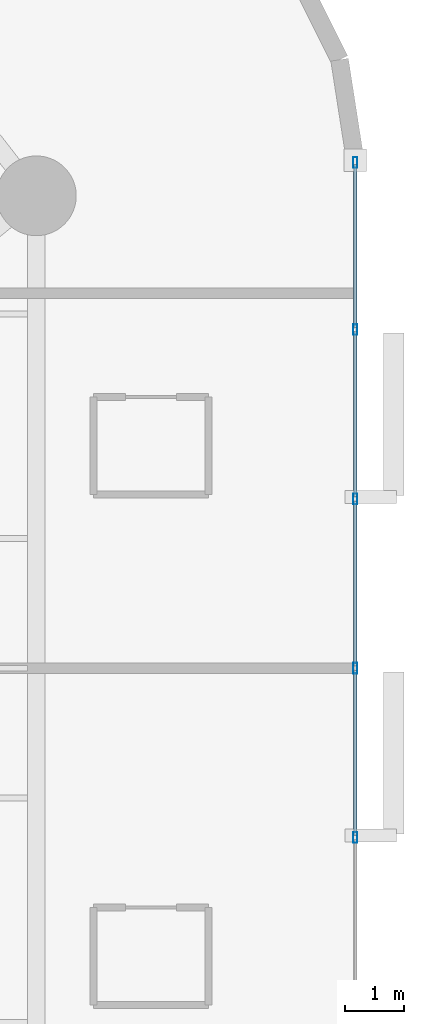
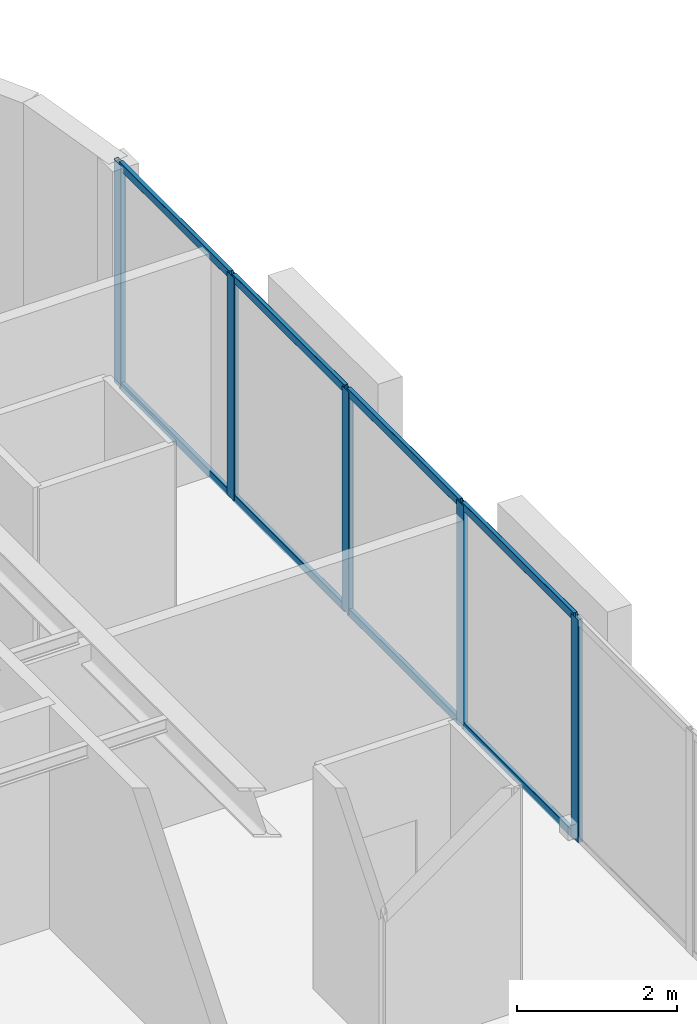
# One storey, part 6 of 16: 13 members, 1 element without a shape of its own.
"""IFC4 building model written with IfcOpenShell, lengths in metres."""

from ifc_helpers import new_model, si_unit, direction, frame, origin, origin_2d, place, context, subcontext, project, spatial, hollow_rectangle, extrude, material, layer, layer_set, material_profile, profile_set, type_object, element, aggregate, save


model = new_model("IFC4")

# Units and contexts
model_context = context("Model", 3, precision=1e-05, world=origin(), true_north=direction((0.0, 1.0)))
body_context = subcontext(model_context, "Body", "Model", "MODEL_VIEW")
ifc_project = project(units=[si_unit("LENGTHUNIT", "METRE"), si_unit("AREAUNIT", "SQUARE_METRE"), si_unit("VOLUMEUNIT", "CUBIC_METRE"), si_unit("PLANEANGLEUNIT", "RADIAN"), si_unit("MASSUNIT", "GRAM", prefix="KILO")], contexts=[model_context])

# Site, building, storey
site_placement = place(None, origin())
site = spatial("IfcSite", under=ifc_project, at=site_placement, CompositionType="ELEMENT")
building_placement = place(site_placement, origin())
building = spatial("IfcBuilding", under=site, at=building_placement, Name="An Khanh Terracotta Commons", CompositionType="ELEMENT")
storey_placement = place(building_placement, frame((0.0, 0.0, 100.699951171875)))
storey = spatial("IfcBuildingStorey", under=building, at=storey_placement, Name="L26", CompositionType="ELEMENT", Elevation=100.699951171875)

# Curtain wall, members
ifc_material = material(Name="Anodised Aluminium 6063-T6", Category="aluminium")
ifc_layer = layer(ifc_material, 0.199951171875, Name="Anodised Aluminium 6063-T6")
ifc_layer_set = layer_set([ifc_layer], Name="Anodised Aluminium 6063-T6")
curtain_wall_type = type_object("IfcCurtainWallType", Name="CW-SYS-02", PredefinedType="USERDEFINED", material=ifc_layer_set)
curtain_wall_placement = place(storey_placement, origin())
curtain_wall = element("IfcCurtainWall", 1, at=curtain_wall_placement, inside=storey, type_object=curtain_wall_type, Name="L26 CW-02 Unitised Curtain Wall CW-L26-12", ObjectType="UNITISED CURTAIN WALL", PredefinedType="USERDEFINED")
ifc_material_profile_1 = material_profile(ifc_material, hollow_rectangle(XDim=0.070068359375, YDim=0.179931640625, WallThickness=0.00390625, InnerFilletRadius=0.00390625, OuterFilletRadius=0.008056640625, at=origin_2d()), Name="RHS180x70x4")
ifc_profile_set_1 = profile_set([ifc_material_profile_1], Name="Anodised Aluminium 6063-T6")
member_type_1 = type_object("IfcMemberType", Name="CWM-RHS180x70x4", PredefinedType="MULLION", material=ifc_profile_set_1)
member_1_placement = place(storey_placement, frame((57.39990234375, 21.13330078125, 0.0), z_axis=(0.0, 0.0, 1.0), x_axis=(-1.0, 0.0, 0.0)))
member_1 = element("IfcMember", 2, at=member_1_placement, type_object=member_type_1, Name="CW-02 mullion 3", PredefinedType="MULLION", context=body_context, shape_type="SweptSolid", body=[
    extrude(hollow_rectangle(XDim=0.070068359375, YDim=0.179931640625, WallThickness=0.00390625, InnerFilletRadius=0.00390625, OuterFilletRadius=0.008056640625, at=origin_2d()), origin(), (0.0, 0.0, 1.0), 3.400146484375),
])
member_2_placement = place(storey_placement, frame((57.39990234375, 24.0, 0.0), z_axis=(0.0, 0.0, 1.0), x_axis=(-1.0, 0.0, 0.0)))
member_2 = element("IfcMember", 3, at=member_2_placement, type_object=member_type_1, Name="CW-02 mullion 4", PredefinedType="MULLION", context=body_context, shape_type="SweptSolid", body=[
    extrude(hollow_rectangle(XDim=0.070068359375, YDim=0.179931640625, WallThickness=0.00390625, InnerFilletRadius=0.00390625, OuterFilletRadius=0.008056640625, at=origin_2d()), origin(), (0.0, 0.0, 1.0), 3.400146484375),
])
member_3_placement = place(storey_placement, frame((57.39990234375, 26.86669921875, 0.0), z_axis=(0.0, 0.0, 1.0), x_axis=(-1.0, 0.0, 0.0)))
member_3 = element("IfcMember", 4, at=member_3_placement, type_object=member_type_1, Name="CW-02 mullion 5", PredefinedType="MULLION", context=body_context, shape_type="SweptSolid", body=[
    extrude(hollow_rectangle(XDim=0.070068359375, YDim=0.179931640625, WallThickness=0.00390625, InnerFilletRadius=0.00390625, OuterFilletRadius=0.008056640625, at=origin_2d()), origin(), (0.0, 0.0, 1.0), 3.400146484375),
])
member_4_placement = place(storey_placement, frame((57.39990234375, 29.7333984375, 0.0), z_axis=(0.0, 0.0, 1.0), x_axis=(-1.0, 0.0, 0.0)))
member_4 = element("IfcMember", 5, at=member_4_placement, type_object=member_type_1, Name="CW-02 mullion 6", PredefinedType="MULLION", context=body_context, shape_type="SweptSolid", body=[
    extrude(hollow_rectangle(XDim=0.070068359375, YDim=0.179931640625, WallThickness=0.00390625, InnerFilletRadius=0.00390625, OuterFilletRadius=0.008056640625, at=origin_2d()), origin(), (0.0, 0.0, 1.0), 3.400146484375),
])
member_5_placement = place(storey_placement, frame((57.39990234375, 32.56494140625, 0.0), z_axis=(0.0, 0.0, 1.0), x_axis=(-1.0, 0.0, 0.0)))
member_5 = element("IfcMember", 6, at=member_5_placement, type_object=member_type_1, Name="CW-02 mullion 7", PredefinedType="MULLION", context=body_context, shape_type="SweptSolid", body=[
    extrude(hollow_rectangle(XDim=0.070068359375, YDim=0.179931640625, WallThickness=0.00390625, InnerFilletRadius=0.00390625, OuterFilletRadius=0.008056640625, at=origin_2d()), origin(), (0.0, 0.0, 1.0), 3.400146484375),
])
ifc_material_profile_2 = material_profile(ifc_material, hollow_rectangle(XDim=0.06005859375, YDim=0.1201171875, WallThickness=0.003662109375, InnerFilletRadius=0.003662109375, OuterFilletRadius=0.007080078125, at=origin_2d()), Name="RHS120x60x3.6")
ifc_profile_set_2 = profile_set([ifc_material_profile_2], Name="Anodised Aluminium 6063-T6")
member_type_2 = type_object("IfcMemberType", Name="CWT-RHS120x60x3.6", PredefinedType="USERDEFINED", material=ifc_profile_set_2)
member_6_placement = place(storey_placement, frame((57.39990234375, 21.168212890625, 0.030029296875), z_axis=(0.0, 1.0, 0.0), x_axis=(-1.0, 0.0, 0.0)))
member_6 = element("IfcMember", 7, at=member_6_placement, type_object=member_type_2, Name="CW-02 transom 3.1", ObjectType="TRANSOM", PredefinedType="USERDEFINED", context=body_context, shape_type="SweptSolid", body=[
    extrude(hollow_rectangle(XDim=0.06005859375, YDim=0.1201171875, WallThickness=0.003662109375, InnerFilletRadius=0.003662109375, OuterFilletRadius=0.007080078125, at=origin_2d()), origin(), (0.0, 0.0, 1.0), 2.796875),
])
member_7_placement = place(storey_placement, frame((57.39990234375, 21.168212890625, 3.3701171875), z_axis=(0.0, 1.0, 0.0), x_axis=(-1.0, 0.0, 0.0)))
member_7 = element("IfcMember", 8, at=member_7_placement, type_object=member_type_2, Name="CW-02 transom 3.2", ObjectType="TRANSOM", PredefinedType="USERDEFINED", context=body_context, shape_type="SweptSolid", body=[
    extrude(hollow_rectangle(XDim=0.06005859375, YDim=0.1201171875, WallThickness=0.003662109375, InnerFilletRadius=0.003662109375, OuterFilletRadius=0.007080078125, at=origin_2d()), origin(), (0.0, 0.0, 1.0), 2.796875),
])
member_8_placement = place(storey_placement, frame((57.39990234375, 24.034912109375, 0.030029296875), z_axis=(0.0, 1.0, 0.0), x_axis=(-1.0, 0.0, 0.0)))
member_8 = element("IfcMember", 9, at=member_8_placement, type_object=member_type_2, Name="CW-02 transom 4.1", ObjectType="TRANSOM", PredefinedType="USERDEFINED", context=body_context, shape_type="SweptSolid", body=[
    extrude(hollow_rectangle(XDim=0.06005859375, YDim=0.1201171875, WallThickness=0.003662109375, InnerFilletRadius=0.003662109375, OuterFilletRadius=0.007080078125, at=origin_2d()), origin(), (0.0, 0.0, 1.0), 2.796875),
])
member_9_placement = place(storey_placement, frame((57.39990234375, 24.034912109375, 3.3701171875), z_axis=(0.0, 1.0, 0.0), x_axis=(-1.0, 0.0, 0.0)))
member_9 = element("IfcMember", 10, at=member_9_placement, type_object=member_type_2, Name="CW-02 transom 4.2", ObjectType="TRANSOM", PredefinedType="USERDEFINED", context=body_context, shape_type="SweptSolid", body=[
    extrude(hollow_rectangle(XDim=0.06005859375, YDim=0.1201171875, WallThickness=0.003662109375, InnerFilletRadius=0.003662109375, OuterFilletRadius=0.007080078125, at=origin_2d()), origin(), (0.0, 0.0, 1.0), 2.796875),
])
member_10_placement = place(storey_placement, frame((57.39990234375, 26.901611328125, 0.030029296875), z_axis=(0.0, 1.0, 0.0), x_axis=(-1.0, 0.0, 0.0)))
member_10 = element("IfcMember", 11, at=member_10_placement, type_object=member_type_2, Name="CW-02 transom 5.1", ObjectType="TRANSOM", PredefinedType="USERDEFINED", context=body_context, shape_type="SweptSolid", body=[
    extrude(hollow_rectangle(XDim=0.06005859375, YDim=0.1201171875, WallThickness=0.003662109375, InnerFilletRadius=0.003662109375, OuterFilletRadius=0.007080078125, at=origin_2d()), origin(), (0.0, 0.0, 1.0), 2.796630859375),
])
member_11_placement = place(storey_placement, frame((57.39990234375, 26.901611328125, 3.3701171875), z_axis=(0.0, 1.0, 0.0), x_axis=(-1.0, 0.0, 0.0)))
member_11 = element("IfcMember", 12, at=member_11_placement, type_object=member_type_2, Name="CW-02 transom 5.2", ObjectType="TRANSOM", PredefinedType="USERDEFINED", context=body_context, shape_type="SweptSolid", body=[
    extrude(hollow_rectangle(XDim=0.06005859375, YDim=0.1201171875, WallThickness=0.003662109375, InnerFilletRadius=0.003662109375, OuterFilletRadius=0.007080078125, at=origin_2d()), origin(), (0.0, 0.0, 1.0), 2.796630859375),
])
member_12_placement = place(storey_placement, frame((57.39990234375, 29.768310546875, 0.030029296875), z_axis=(0.0, 1.0, 0.0), x_axis=(-1.0, 0.0, 0.0)))
member_12 = element("IfcMember", 13, at=member_12_placement, type_object=member_type_2, Name="CW-02 transom 6.1", ObjectType="TRANSOM", PredefinedType="USERDEFINED", context=body_context, shape_type="SweptSolid", body=[
    extrude(hollow_rectangle(XDim=0.06005859375, YDim=0.1201171875, WallThickness=0.003662109375, InnerFilletRadius=0.003662109375, OuterFilletRadius=0.007080078125, at=origin_2d()), origin(), (0.0, 0.0, 1.0), 2.76171875),
])
member_13_placement = place(storey_placement, frame((57.39990234375, 29.768310546875, 3.3701171875), z_axis=(0.0, 1.0, 0.0), x_axis=(-1.0, 0.0, 0.0)))
member_13 = element("IfcMember", 14, at=member_13_placement, type_object=member_type_2, Name="CW-02 transom 6.2", ObjectType="TRANSOM", PredefinedType="USERDEFINED", context=body_context, shape_type="SweptSolid", body=[
    extrude(hollow_rectangle(XDim=0.06005859375, YDim=0.1201171875, WallThickness=0.003662109375, InnerFilletRadius=0.003662109375, OuterFilletRadius=0.007080078125, at=origin_2d()), origin(), (0.0, 0.0, 1.0), 2.76171875),
])
aggregate(curtain_wall, [member_1, member_2, member_3, member_4, member_5, member_6, member_7, member_8, member_9, member_10, member_11, member_12, member_13])

save(model, "model.ifc")
